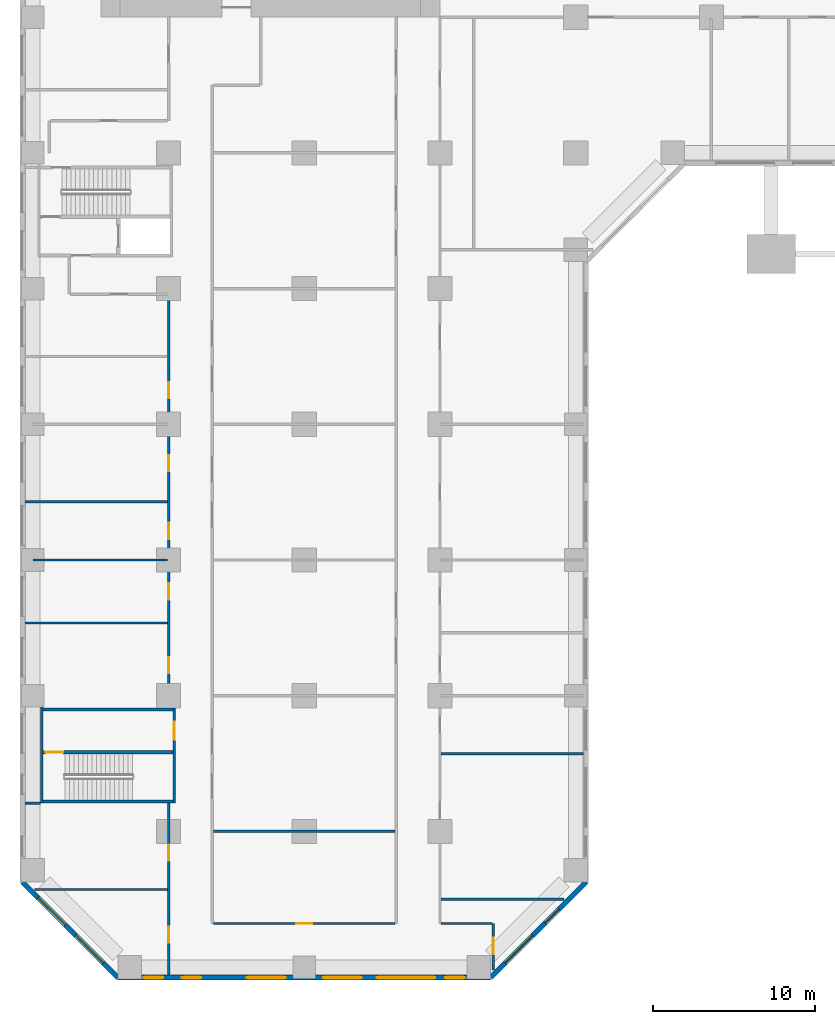
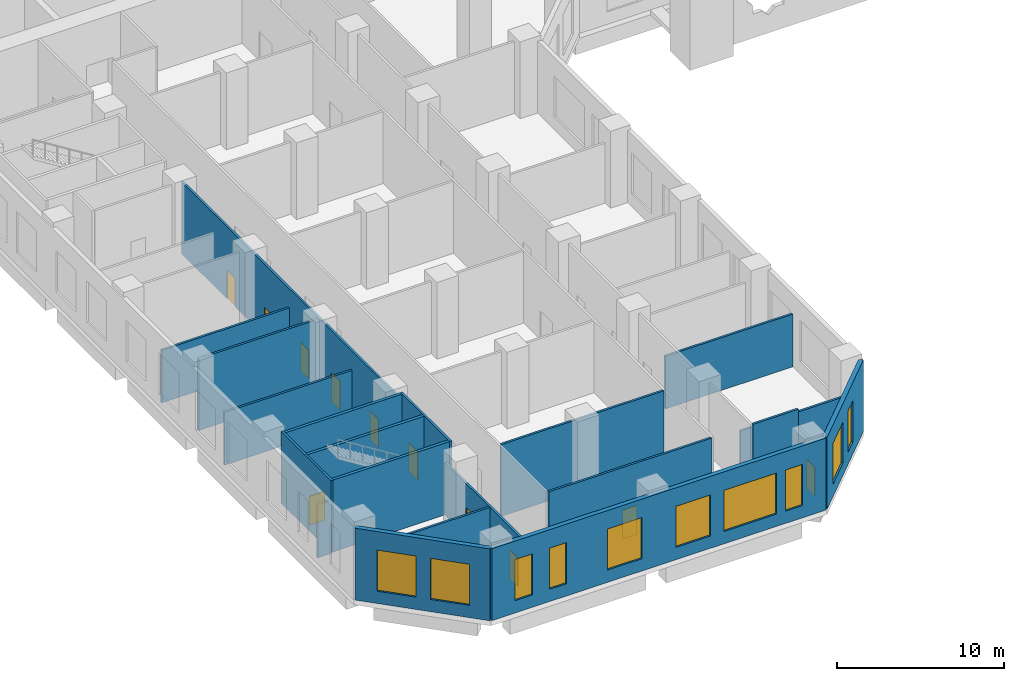
# One storey, part 2 of 17: 21 walls, 11 doors, 10 windows, 21 openings.
"""IFC4 building model written with IfcOpenShell, lengths in metres."""

from ifc_helpers import new_model, si_unit, direction, frame, frame_2d, origin, place, context, subcontext, project, spatial, rectangle, extrude, material, layer, layer_set, type_object, element, fill, save


model = new_model("IFC4")

# Units and contexts
model_context = context("Model", 3, precision=1e-05, world=origin(), true_north=direction((0.0, 1.0)))
body_context = subcontext(model_context, "Body", "Model", "MODEL_VIEW")
ifc_project = project(units=[si_unit("LENGTHUNIT", "METRE"), si_unit("AREAUNIT", "SQUARE_METRE"), si_unit("VOLUMEUNIT", "CUBIC_METRE"), si_unit("PLANEANGLEUNIT", "RADIAN"), si_unit("MASSUNIT", "GRAM", prefix="KILO")], contexts=[model_context])

# Site, building, storey
site_placement = place(None, origin())
site = spatial("IfcSite", under=ifc_project, at=site_placement, CompositionType="ELEMENT")
building_placement = place(site_placement, origin())
building = spatial("IfcBuilding", under=site, at=building_placement, Name="Kawkab Arch Medical Tower", CompositionType="ELEMENT")
storey_placement = place(building_placement, frame((0.0, 0.0, 7.0)))
storey = spatial("IfcBuildingStorey", under=building, at=storey_placement, Name="L02", CompositionType="ELEMENT", Elevation=7.0)

# Wall, opening, door
ifc_material_1 = material(Name="Gypsum board partition on steel studs, mineral wool", Category="steel")
ifc_layer_1 = layer(ifc_material_1, 0.14990234375)
ifc_layer_set_1 = layer_set([ifc_layer_1], Name="Gypsum board partition on steel studs, mineral wool")
wall_type_1 = type_object("IfcWallType", Name="Partition 150", PredefinedType="PARTITIONING", material=ifc_layer_set_1)
wall_1_placement = place(storey_placement, frame((11.175048828125, -81.300048828125, 0.0), z_axis=(0.0, 0.0, 1.0), x_axis=(1.0, 0.0, 0.0)))
wall_1 = element("IfcWall", 1, at=wall_1_placement, inside=storey, type_object=wall_type_1, Name="Partition 150 w001", PredefinedType="PARTITIONING", context=body_context, shape_type="SweptSolid", body=[
    extrude(rectangle(XDim=11.25, YDim=0.14990234375, at=frame_2d((5.625, 0.0))), origin(), (0.0, 0.0, 1.0), 5.25),
])
opening_1_placement = place(wall_1_placement, frame((5.125, 0.0, 0.0)))
opening_1 = element("IfcOpeningElement", 2, at=opening_1_placement, cuts=wall_1, Name="Opening P02-052", PredefinedType="OPENING", context=body_context, shape_type="SweptSolid", body=[
    extrude(rectangle(XDim=1.0, YDim=2.10009765625, at=frame_2d((0.5, 1.050048828125))), frame((0.0, 0.0849609375, 0.0), z_axis=(0.0, -1.0, 0.0), x_axis=(1.0, 0.0, 0.0)), (0.0, 0.0, 1.0), 0.169921875),
])
ifc_material_2 = material(Name="Hollow metal door leaf")
door_type_1 = type_object("IfcDoorType", Name="Single door 1000x2100 FD30S", OperationType="NOTDEFINED", PredefinedType="DOOR", material=ifc_material_2)
door_1_placement = place(opening_1_placement, origin())
door_1 = element("IfcDoor", 3, at=door_1_placement, inside=storey, type_object=door_type_1, Name="Door P02-052", OperationType="SINGLE_SWING_LEFT", OverallHeight=2.10009765625, OverallWidth=1.0, PredefinedType="DOOR", context=body_context, shape_type="SweptSolid", body=[
    extrude(rectangle(XDim=1.0, YDim=2.10009765625, at=frame_2d((0.5, 1.050048828125))), frame((0.0, 0.02490234375, 0.0), z_axis=(0.0, -1.0, 0.0), x_axis=(1.0, 0.0, 0.0)), (0.0, 0.0, 1.0), 0.050048828125),
])
fill(opening_1, door_1)

# Walls
wall_2_placement = place(storey_placement, frame((25.27490234375, -81.300048828125, 0.0), z_axis=(0.0, 0.0, 1.0), x_axis=(1.0, 0.0, 0.0)))
element("IfcWall", 4, at=wall_2_placement, inside=storey, type_object=wall_type_1, Name="Partition 150 w002", PredefinedType="PARTITIONING", context=body_context, shape_type="SweptSolid", body=[
    extrude(rectangle(XDim=3.150146484375, YDim=0.14990234375, at=frame_2d((1.5751953125, 0.0))), origin(), (0.0, 0.0, 1.0), 5.25),
])
wall_3_placement = place(storey_placement, frame((25.27490234375, -79.800048828125, 0.0), z_axis=(0.0, 0.0, 1.0), x_axis=(1.0, 0.0, 0.0)))
element("IfcWall", 5, at=wall_3_placement, inside=storey, type_object=wall_type_1, Name="Partition 150 w003", PredefinedType="PARTITIONING", context=body_context, shape_type="SweptSolid", body=[
    extrude(rectangle(XDim=7.612060546875, YDim=0.14990234375, at=frame_2d((3.80615234375, 0.0))), origin(), (0.0, 0.0, 1.0), 3.85009765625),
])
wall_4_placement = place(storey_placement, frame((0.113037109375, -79.199951171875, 0.0), z_axis=(0.0, 0.0, 1.0), x_axis=(1.0, 0.0, 0.0)))
element("IfcWall", 6, at=wall_4_placement, inside=storey, type_object=wall_type_1, Name="Partition 150 w004", PredefinedType="PARTITIONING", context=body_context, shape_type="SweptSolid", body=[
    extrude(rectangle(XDim=8.2119140625, YDim=0.14990234375, at=frame_2d((4.10595703125, 0.0))), origin(), (0.0, 0.0, 1.0), 3.85009765625),
])
wall_5_placement = place(storey_placement, frame((11.175048828125, -75.60009765625, 0.0), z_axis=(0.0, 0.0, 1.0), x_axis=(1.0, 0.0, 0.0)))
element("IfcWall", 7, at=wall_5_placement, inside=storey, type_object=wall_type_1, Name="Partition 150 w005", PredefinedType="PARTITIONING", context=body_context, shape_type="SweptSolid", body=[
    extrude(rectangle(XDim=11.25, YDim=0.14990234375, at=frame_2d((5.625, 0.0))), origin(), (0.0, 0.0, 1.0), 5.25),
])
wall_6_placement = place(storey_placement, frame((-0.47998046875, -73.85009765625, 0.0), z_axis=(0.0, 0.0, 1.0), x_axis=(1.0, 0.0, 0.0)))
element("IfcWall", 8, at=wall_6_placement, inside=storey, type_object=wall_type_1, Name="Partition 150 w006", PredefinedType="PARTITIONING", context=body_context, shape_type="SweptSolid", body=[
    extrude(rectangle(XDim=0.952880859375, YDim=0.14990234375, at=frame_2d((0.4765625, 0.0))), origin(), (0.0, 0.0, 1.0), 3.85009765625),
])
wall_7_placement = place(storey_placement, frame((25.27490234375, -70.800048828125, 0.0), z_axis=(0.0, 0.0, 1.0), x_axis=(1.0, 0.0, 0.0)))
element("IfcWall", 9, at=wall_7_placement, inside=storey, type_object=wall_type_1, Name="Partition 150 w007", PredefinedType="PARTITIONING", context=body_context, shape_type="SweptSolid", body=[
    extrude(rectangle(XDim=8.80517578125, YDim=0.14990234375, at=frame_2d((4.402587890625, 0.0))), origin(), (0.0, 0.0, 1.0), 3.85009765625),
])
wall_8_placement = place(storey_placement, frame((-0.47998046875, -62.699951171875, 0.0), z_axis=(0.0, 0.0, 1.0), x_axis=(1.0, 0.0, 0.0)))
element("IfcWall", 10, at=wall_8_placement, inside=storey, type_object=wall_type_1, Name="Partition 150 w011", PredefinedType="PARTITIONING", context=body_context, shape_type="SweptSolid", body=[
    extrude(rectangle(XDim=8.804931640625, YDim=0.14990234375, at=frame_2d((4.40234375, 0.0))), origin(), (0.0, 0.0, 1.0), 3.85009765625),
])
wall_9_placement = place(storey_placement, frame((0.001953125, -58.800048828125, 0.0), z_axis=(0.0, 0.0, 1.0), x_axis=(1.0, 0.0, 0.0)))
element("IfcWall", 11, at=wall_9_placement, inside=storey, type_object=wall_type_1, Name="Partition 150 w012", PredefinedType="PARTITIONING", context=body_context, shape_type="SweptSolid", body=[
    extrude(rectangle(XDim=8.322998046875, YDim=0.14990234375, at=frame_2d((4.16162109375, 0.0))), origin(), (0.0, 0.0, 1.0), 5.25),
])
wall_10_placement = place(storey_placement, frame((-0.47998046875, -55.199951171875, 0.0), z_axis=(0.0, 0.0, 1.0), x_axis=(1.0, 0.0, 0.0)))
element("IfcWall", 12, at=wall_10_placement, inside=storey, type_object=wall_type_1, Name="Partition 150 w015", PredefinedType="PARTITIONING", context=body_context, shape_type="SweptSolid", body=[
    extrude(rectangle(XDim=8.804931640625, YDim=0.14990234375, at=frame_2d((4.40234375, 0.0))), origin(), (0.0, 0.0, 1.0), 3.85009765625),
])

# Wall, openings, doors
wall_11_placement = place(storey_placement, frame((8.39990234375, -84.47998046875, 0.0), z_axis=(0.0, 0.0, 1.0), x_axis=(0.0, 1.0, 0.0)))
wall_11 = element("IfcWall", 13, at=wall_11_placement, inside=storey, type_object=wall_type_1, Name="Partition 150 w042", PredefinedType="PARTITIONING", context=body_context, shape_type="SweptSolid", body=[
    extrude(rectangle(XDim=10.6298828125, YDim=0.14990234375, at=frame_2d((5.31494140625, 0.0))), origin(), (0.0, 0.0, 1.0), 3.85009765625),
])
opening_2_placement = place(wall_11_placement, frame((7.054931640625, 0.0, 0.0)))
opening_2 = element("IfcOpeningElement", 14, at=opening_2_placement, cuts=wall_11, Name="Opening P02-050", PredefinedType="OPENING", context=body_context, shape_type="SweptSolid", body=[
    extrude(rectangle(XDim=1.0, YDim=2.10009765625, at=frame_2d((0.5, 1.050048828125))), frame((0.0, 0.0849609375, 0.0), z_axis=(0.0, -1.0, 0.0), x_axis=(1.0, 0.0, 0.0)), (0.0, 0.0, 1.0), 0.169921875),
])
opening_3_placement = place(wall_11_placement, frame((1.97998046875, 0.0, 0.0)))
opening_3 = element("IfcOpeningElement", 15, at=opening_3_placement, cuts=wall_11, Name="Opening P02-051", PredefinedType="OPENING", context=body_context, shape_type="SweptSolid", body=[
    extrude(rectangle(XDim=1.0, YDim=2.10009765625, at=frame_2d((0.5, 1.050048828125))), frame((0.0, 0.0849609375, 0.0), z_axis=(0.0, -1.0, 0.0), x_axis=(1.0, 0.0, 0.0)), (0.0, 0.0, 1.0), 0.169921875),
])
door_2_placement = place(opening_2_placement, origin())
door_2 = element("IfcDoor", 16, at=door_2_placement, inside=storey, type_object=door_type_1, Name="Door P02-050", OperationType="SINGLE_SWING_RIGHT", OverallHeight=2.10009765625, OverallWidth=1.0, PredefinedType="DOOR", context=body_context, shape_type="SweptSolid", body=[
    extrude(rectangle(XDim=1.0, YDim=2.10009765625, at=frame_2d((0.5, 1.050048828125))), frame((0.0, 0.02490234375, 0.0), z_axis=(0.0, -1.0, 0.0), x_axis=(1.0, 0.0, 0.0)), (0.0, 0.0, 1.0), 0.050048828125),
])
fill(opening_2, door_2)
door_3_placement = place(opening_3_placement, origin())
door_3 = element("IfcDoor", 17, at=door_3_placement, inside=storey, type_object=door_type_1, Name="Door P02-051", OperationType="SINGLE_SWING_LEFT", OverallHeight=2.10009765625, OverallWidth=1.0, PredefinedType="DOOR", context=body_context, shape_type="SweptSolid", body=[
    extrude(rectangle(XDim=1.0, YDim=2.10009765625, at=frame_2d((0.5, 1.050048828125))), frame((0.0, 0.02490234375, 0.0), z_axis=(0.0, -1.0, 0.0), x_axis=(1.0, 0.0, 0.0)), (0.0, 0.0, 1.0), 0.050048828125),
])
fill(opening_3, door_3)

wall_12_placement = place(storey_placement, frame((8.39990234375, -67.947021484375, 0.0), z_axis=(0.0, 0.0, 1.0), x_axis=(0.0, 1.0, 0.0)))
wall_12 = element("IfcWall", 18, at=wall_12_placement, inside=storey, type_object=wall_type_1, Name="Partition 150 w043", PredefinedType="PARTITIONING", context=body_context, shape_type="SweptSolid", body=[
    extrude(rectangle(XDim=25.596923828125, YDim=0.14990234375, at=frame_2d((12.79833984375, 0.0))), origin(), (0.0, 0.0, 1.0), 5.25),
])
opening_4_placement = place(wall_12_placement, frame((19.14697265625, 0.0, 0.0)))
opening_4 = element("IfcOpeningElement", 19, at=opening_4_placement, cuts=wall_12, Name="Opening P02-045", PredefinedType="OPENING", context=body_context, shape_type="SweptSolid", body=[
    extrude(rectangle(XDim=1.0, YDim=2.10009765625, at=frame_2d((0.5, 1.050048828125))), frame((0.0, 0.0849609375, 0.0), z_axis=(0.0, -1.0, 0.0), x_axis=(1.0, 0.0, 0.0)), (0.0, 0.0, 1.0), 0.169921875),
])
opening_5_placement = place(wall_12_placement, frame((14.64697265625, 0.0, 0.0)))
opening_5 = element("IfcOpeningElement", 20, at=opening_5_placement, cuts=wall_12, Name="Opening P02-046", PredefinedType="OPENING", context=body_context, shape_type="SweptSolid", body=[
    extrude(rectangle(XDim=1.0, YDim=2.10009765625, at=frame_2d((0.5, 1.050048828125))), frame((0.0, 0.0849609375, 0.0), z_axis=(0.0, -1.0, 0.0), x_axis=(1.0, 0.0, 0.0)), (0.0, 0.0, 1.0), 0.169921875),
])
opening_6_placement = place(wall_12_placement, frame((10.447021484375, 0.0, 0.0)))
opening_6 = element("IfcOpeningElement", 21, at=opening_6_placement, cuts=wall_12, Name="Opening P02-047", PredefinedType="OPENING", context=body_context, shape_type="SweptSolid", body=[
    extrude(rectangle(XDim=1.0, YDim=2.10009765625, at=frame_2d((0.5, 1.050048828125))), frame((0.0, 0.0849609375, 0.0), z_axis=(0.0, -1.0, 0.0), x_axis=(1.0, 0.0, 0.0)), (0.0, 0.0, 1.0), 0.169921875),
])
opening_7_placement = place(wall_12_placement, frame((6.697021484375, 0.0, 0.0)))
opening_7 = element("IfcOpeningElement", 22, at=opening_7_placement, cuts=wall_12, Name="Opening P02-048", PredefinedType="OPENING", context=body_context, shape_type="SweptSolid", body=[
    extrude(rectangle(XDim=1.0, YDim=2.10009765625, at=frame_2d((0.5, 1.050048828125))), frame((0.0, 0.0849609375, 0.0), z_axis=(0.0, -1.0, 0.0), x_axis=(1.0, 0.0, 0.0)), (0.0, 0.0, 1.0), 0.169921875),
])
opening_8_placement = place(wall_12_placement, frame((2.1240234375, 0.0, 0.0)))
opening_8 = element("IfcOpeningElement", 23, at=opening_8_placement, cuts=wall_12, Name="Opening P02-049", PredefinedType="OPENING", context=body_context, shape_type="SweptSolid", body=[
    extrude(rectangle(XDim=1.0, YDim=2.10009765625, at=frame_2d((0.5, 1.050048828125))), frame((0.0, 0.0849609375, 0.0), z_axis=(0.0, -1.0, 0.0), x_axis=(1.0, 0.0, 0.0)), (0.0, 0.0, 1.0), 0.169921875),
])
door_4_placement = place(opening_4_placement, origin())
door_4 = element("IfcDoor", 24, at=door_4_placement, inside=storey, type_object=door_type_1, Name="Door P02-045", OperationType="SINGLE_SWING_RIGHT", OverallHeight=2.10009765625, OverallWidth=1.0, PredefinedType="DOOR", context=body_context, shape_type="SweptSolid", body=[
    extrude(rectangle(XDim=1.0, YDim=2.10009765625, at=frame_2d((0.5, 1.050048828125))), frame((0.0, 0.02490234375, 0.0), z_axis=(0.0, -1.0, 0.0), x_axis=(1.0, 0.0, 0.0)), (0.0, 0.0, 1.0), 0.050048828125),
])
fill(opening_4, door_4)
door_5_placement = place(opening_5_placement, origin())
door_5 = element("IfcDoor", 25, at=door_5_placement, inside=storey, type_object=door_type_1, Name="Door P02-046", OperationType="SINGLE_SWING_RIGHT", OverallHeight=2.10009765625, OverallWidth=1.0, PredefinedType="DOOR", context=body_context, shape_type="SweptSolid", body=[
    extrude(rectangle(XDim=1.0, YDim=2.10009765625, at=frame_2d((0.5, 1.050048828125))), frame((0.0, 0.02490234375, 0.0), z_axis=(0.0, -1.0, 0.0), x_axis=(1.0, 0.0, 0.0)), (0.0, 0.0, 1.0), 0.050048828125),
])
fill(opening_5, door_5)
door_6_placement = place(opening_6_placement, origin())
door_6 = element("IfcDoor", 26, at=door_6_placement, inside=storey, type_object=door_type_1, Name="Door P02-047", OperationType="SINGLE_SWING_LEFT", OverallHeight=2.10009765625, OverallWidth=1.0, PredefinedType="DOOR", context=body_context, shape_type="SweptSolid", body=[
    extrude(rectangle(XDim=1.0, YDim=2.10009765625, at=frame_2d((0.5, 1.050048828125))), frame((0.0, 0.02490234375, 0.0), z_axis=(0.0, -1.0, 0.0), x_axis=(1.0, 0.0, 0.0)), (0.0, 0.0, 1.0), 0.050048828125),
])
fill(opening_6, door_6)
door_7_placement = place(opening_7_placement, origin())
door_7 = element("IfcDoor", 27, at=door_7_placement, inside=storey, type_object=door_type_1, Name="Door P02-048", OperationType="SINGLE_SWING_LEFT", OverallHeight=2.10009765625, OverallWidth=1.0, PredefinedType="DOOR", context=body_context, shape_type="SweptSolid", body=[
    extrude(rectangle(XDim=1.0, YDim=2.10009765625, at=frame_2d((0.5, 1.050048828125))), frame((0.0, 0.02490234375, 0.0), z_axis=(0.0, -1.0, 0.0), x_axis=(1.0, 0.0, 0.0)), (0.0, 0.0, 1.0), 0.050048828125),
])
fill(opening_7, door_7)
door_8_placement = place(opening_8_placement, origin())
door_8 = element("IfcDoor", 28, at=door_8_placement, inside=storey, type_object=door_type_1, Name="Door P02-049", OperationType="SINGLE_SWING_LEFT", OverallHeight=2.10009765625, OverallWidth=1.0, PredefinedType="DOOR", context=body_context, shape_type="SweptSolid", body=[
    extrude(rectangle(XDim=1.0, YDim=2.10009765625, at=frame_2d((0.5, 1.050048828125))), frame((0.0, 0.02490234375, 0.0), z_axis=(0.0, -1.0, 0.0), x_axis=(1.0, 0.0, 0.0)), (0.0, 0.0, 1.0), 0.050048828125),
])
fill(opening_8, door_8)

# Wall, opening, door
wall_13_placement = place(storey_placement, frame((28.5, -84.18701171875, 0.0), z_axis=(0.0, 0.0, 1.0), x_axis=(0.0, 1.0, 0.0)))
wall_13 = element("IfcWall", 29, at=wall_13_placement, inside=storey, type_object=wall_type_1, Name="Partition 150 w051", PredefinedType="PARTITIONING", context=body_context, shape_type="SweptSolid", body=[
    extrude(rectangle(XDim=2.886962890625, YDim=0.14990234375, at=frame_2d((1.443359375, 0.0))), origin(), (0.0, 0.0, 1.0), 3.85009765625),
])
opening_9_placement = place(wall_13_placement, frame((0.987060546875, 0.0, 0.0)))
opening_9 = element("IfcOpeningElement", 30, at=opening_9_placement, cuts=wall_13, Name="Opening P02-058", PredefinedType="OPENING", context=body_context, shape_type="SweptSolid", body=[
    extrude(rectangle(XDim=1.0, YDim=2.10009765625, at=frame_2d((0.5, 1.050048828125))), frame((0.0, 0.0849609375, 0.0), z_axis=(0.0, -1.0, 0.0), x_axis=(1.0, 0.0, 0.0)), (0.0, 0.0, 1.0), 0.169921875),
])
door_9_placement = place(opening_9_placement, origin())
door_9 = element("IfcDoor", 31, at=door_9_placement, inside=storey, type_object=door_type_1, Name="Door P02-058", OperationType="SINGLE_SWING_LEFT", OverallHeight=2.10009765625, OverallWidth=1.0, PredefinedType="DOOR", context=body_context, shape_type="SweptSolid", body=[
    extrude(rectangle(XDim=1.0, YDim=2.10009765625, at=frame_2d((0.5, 1.050048828125))), frame((0.0, 0.02490234375, 0.0), z_axis=(0.0, -1.0, 0.0), x_axis=(1.0, 0.0, 0.0)), (0.0, 0.0, 1.0), 0.050048828125),
])
fill(opening_9, door_9)

# Wall, openings, windows
ifc_material_3 = material(Name="Bronze clad insulated wall panel")
ifc_layer_2 = layer(ifc_material_3, 0.300048828125)
ifc_layer_set_2 = layer_set([ifc_layer_2], Name="Bronze clad insulated wall panel")
wall_type_2 = type_object("IfcWallType", Name="Podium external wall 300", PredefinedType="SOLIDWALL", material=ifc_layer_set_2)
wall_14_placement = place(storey_placement, frame((-0.64990234375, -78.73779296875, 0.0), z_axis=(0.0, 0.0, 1.0), x_axis=(0.707106781187, -0.707106781187, 0.0)))
wall_14 = element("IfcWall", 32, at=wall_14_placement, inside=storey, type_object=wall_type_2, Name="Podium external wall L02 R08", PredefinedType="SOLIDWALL", context=body_context, shape_type="SweptSolid", body=[
    extrude(rectangle(XDim=8.361083984375, YDim=0.300048828125, at=frame_2d((4.1806640625, 0.0))), origin(), (0.0, 0.0, 1.0), 5.25),
])
opening_10_placement = place(wall_14_placement, frame((1.3671875, 0.0, 0.89990234375)))
opening_10 = element("IfcOpeningElement", 33, at=opening_10_placement, cuts=wall_14, Name="Opening PBW240-30-S9", PredefinedType="OPENING", context=body_context, shape_type="SweptSolid", body=[
    extrude(rectangle(XDim=2.39990234375, YDim=3.0, at=frame_2d((1.199951171875, 1.5))), frame((0.0, 0.159912109375, 0.0), z_axis=(0.0, -1.0, 0.0), x_axis=(1.0, 0.0, 0.0)), (0.0, 0.0, 1.0), 0.320068359375),
])
opening_11_placement = place(wall_14_placement, frame((4.67919921875, 0.0, 0.89990234375)))
opening_11 = element("IfcOpeningElement", 34, at=opening_11_placement, cuts=wall_14, Name="Opening PBW240-30-S9", PredefinedType="OPENING", context=body_context, shape_type="SweptSolid", body=[
    extrude(rectangle(XDim=2.39990234375, YDim=3.0, at=frame_2d((1.199951171875, 1.5))), frame((0.0, 0.159912109375, 0.0), z_axis=(0.0, -1.0, 0.0), x_axis=(1.0, 0.0, 0.0)), (0.0, 0.0, 1.0), 0.320068359375),
])
ifc_material_4 = material(Name="Bronze anodised aluminium louvred window", Category="aluminium")
window_type_1 = type_object("IfcWindowType", Name="Podium band window 2400 x 3000 sill 900", PartitioningType="DOUBLE_PANEL_VERTICAL", PredefinedType="WINDOW", material=ifc_material_4)
window_1_placement = place(opening_10_placement, origin())
window_1 = element("IfcWindow", 35, at=window_1_placement, inside=storey, type_object=window_type_1, Name="Band window L02 R08.1", OverallHeight=3.0, OverallWidth=2.39990234375, PartitioningType="SINGLE_PANEL", PredefinedType="WINDOW", context=body_context, shape_type="SweptSolid", body=[
    extrude(rectangle(XDim=2.39990234375, YDim=3.0, at=frame_2d((1.199951171875, 1.5))), frame((0.0, 0.030029296875, 0.0), z_axis=(0.0, -1.0, 0.0), x_axis=(1.0, 0.0, 0.0)), (0.0, 0.0, 1.0), 0.06005859375),
])
fill(opening_10, window_1)
window_2_placement = place(opening_11_placement, origin())
window_2 = element("IfcWindow", 36, at=window_2_placement, inside=storey, type_object=window_type_1, Name="Band window L02 R08.2", OverallHeight=3.0, OverallWidth=2.39990234375, PartitioningType="SINGLE_PANEL", PredefinedType="WINDOW", context=body_context, shape_type="SweptSolid", body=[
    extrude(rectangle(XDim=2.39990234375, YDim=3.0, at=frame_2d((1.199951171875, 1.5))), frame((0.0, 0.030029296875, 0.0), z_axis=(0.0, -1.0, 0.0), x_axis=(1.0, 0.0, 0.0)), (0.0, 0.0, 1.0), 0.06005859375),
])
fill(opening_11, window_2)

wall_15_placement = place(storey_placement, frame((5.26220703125, -84.64990234375, 0.0), z_axis=(0.0, 0.0, 1.0), x_axis=(1.0, 0.0, 0.0)))
wall_15 = element("IfcWall", 37, at=wall_15_placement, inside=storey, type_object=wall_type_2, Name="Podium external wall L02 R09", PredefinedType="SOLIDWALL", context=body_context, shape_type="SweptSolid", body=[
    extrude(rectangle(XDim=23.07568359375, YDim=0.300048828125, at=frame_2d((11.537841796875, 0.0))), origin(), (0.0, 0.0, 1.0), 5.25),
])
opening_12_placement = place(wall_15_placement, frame((1.6103515625, 0.0, 0.89990234375)))
opening_12 = element("IfcOpeningElement", 38, at=opening_12_placement, cuts=wall_15, Name="Opening PBW120-30-S9", PredefinedType="OPENING", context=body_context, shape_type="SweptSolid", body=[
    extrude(rectangle(XDim=1.199951171875, YDim=3.0, at=frame_2d((0.60009765625, 1.5))), frame((0.0, 0.159912109375, 0.0), z_axis=(0.0, -1.0, 0.0), x_axis=(1.0, 0.0, 0.0)), (0.0, 0.0, 1.0), 0.320068359375),
])
opening_13_placement = place(wall_15_placement, frame((3.962890625, 0.0, 0.89990234375)))
opening_13 = element("IfcOpeningElement", 39, at=opening_13_placement, cuts=wall_15, Name="Opening PBW120-30-S9", PredefinedType="OPENING", context=body_context, shape_type="SweptSolid", body=[
    extrude(rectangle(XDim=1.199951171875, YDim=3.0, at=frame_2d((0.60009765625, 1.5))), frame((0.0, 0.159912109375, 0.0), z_axis=(0.0, -1.0, 0.0), x_axis=(1.0, 0.0, 0.0)), (0.0, 0.0, 1.0), 0.320068359375),
])
opening_14_placement = place(wall_15_placement, frame((7.977783203125, 0.0, 0.89990234375)))
opening_14 = element("IfcOpeningElement", 40, at=opening_14_placement, cuts=wall_15, Name="Opening PBW240-30-S9", PredefinedType="OPENING", context=body_context, shape_type="SweptSolid", body=[
    extrude(rectangle(XDim=2.39990234375, YDim=3.0, at=frame_2d((1.199951171875, 1.5))), frame((0.0, 0.159912109375, 0.0), z_axis=(0.0, -1.0, 0.0), x_axis=(1.0, 0.0, 0.0)), (0.0, 0.0, 1.0), 0.320068359375),
])
opening_15_placement = place(wall_15_placement, frame((12.697998046875, 0.0, 0.89990234375)))
opening_15 = element("IfcOpeningElement", 41, at=opening_15_placement, cuts=wall_15, Name="Opening PBW240-30-S9", PredefinedType="OPENING", context=body_context, shape_type="SweptSolid", body=[
    extrude(rectangle(XDim=2.39990234375, YDim=3.0, at=frame_2d((1.199951171875, 1.5))), frame((0.0, 0.159912109375, 0.0), z_axis=(0.0, -1.0, 0.0), x_axis=(1.0, 0.0, 0.0)), (0.0, 0.0, 1.0), 0.320068359375),
])
opening_16_placement = place(wall_15_placement, frame((16.037841796875, 0.0, 0.89990234375)))
opening_16 = element("IfcOpeningElement", 42, at=opening_16_placement, cuts=wall_15, Name="Opening PBW360-30-S9", PredefinedType="OPENING", context=body_context, shape_type="SweptSolid", body=[
    extrude(rectangle(XDim=3.60009765625, YDim=3.0, at=frame_2d((1.800048828125, 1.5))), frame((0.0, 0.159912109375, 0.0), z_axis=(0.0, -1.0, 0.0), x_axis=(1.0, 0.0, 0.0)), (0.0, 0.0, 1.0), 0.320068359375),
])
opening_17_placement = place(wall_15_placement, frame((20.265380859375, 0.0, 0.89990234375)))
opening_17 = element("IfcOpeningElement", 43, at=opening_17_placement, cuts=wall_15, Name="Opening PBW120-30-S9", PredefinedType="OPENING", context=body_context, shape_type="SweptSolid", body=[
    extrude(rectangle(XDim=1.199951171875, YDim=3.0, at=frame_2d((0.60009765625, 1.5))), frame((0.0, 0.159912109375, 0.0), z_axis=(0.0, -1.0, 0.0), x_axis=(1.0, 0.0, 0.0)), (0.0, 0.0, 1.0), 0.320068359375),
])
ifc_material_5 = material(Name="Bronze anodised aluminium louvred window", Category="aluminium")
window_type_2 = type_object("IfcWindowType", Name="Podium band window 1200 x 3000 sill 900", PartitioningType="DOUBLE_PANEL_VERTICAL", PredefinedType="WINDOW", material=ifc_material_5)
window_3_placement = place(opening_12_placement, origin())
window_3 = element("IfcWindow", 44, at=window_3_placement, inside=storey, type_object=window_type_2, Name="Band window L02 R09.1", OverallHeight=3.0, OverallWidth=1.199951171875, PartitioningType="SINGLE_PANEL", PredefinedType="WINDOW", context=body_context, shape_type="SweptSolid", body=[
    extrude(rectangle(XDim=1.199951171875, YDim=3.0, at=frame_2d((0.60009765625, 1.5))), frame((0.0, 0.030029296875, 0.0), z_axis=(0.0, -1.0, 0.0), x_axis=(1.0, 0.0, 0.0)), (0.0, 0.0, 1.0), 0.06005859375),
])
fill(opening_12, window_3)
window_4_placement = place(opening_13_placement, origin())
window_4 = element("IfcWindow", 45, at=window_4_placement, inside=storey, type_object=window_type_2, Name="Band window L02 R09.2", OverallHeight=3.0, OverallWidth=1.199951171875, PartitioningType="SINGLE_PANEL", PredefinedType="WINDOW", context=body_context, shape_type="SweptSolid", body=[
    extrude(rectangle(XDim=1.199951171875, YDim=3.0, at=frame_2d((0.60009765625, 1.5))), frame((0.0, 0.030029296875, 0.0), z_axis=(0.0, -1.0, 0.0), x_axis=(1.0, 0.0, 0.0)), (0.0, 0.0, 1.0), 0.06005859375),
])
fill(opening_13, window_4)
window_5_placement = place(opening_17_placement, origin())
window_5 = element("IfcWindow", 46, at=window_5_placement, inside=storey, type_object=window_type_2, Name="Band window L02 R09.6", OverallHeight=3.0, OverallWidth=1.199951171875, PartitioningType="SINGLE_PANEL", PredefinedType="WINDOW", context=body_context, shape_type="SweptSolid", body=[
    extrude(rectangle(XDim=1.199951171875, YDim=3.0, at=frame_2d((0.60009765625, 1.5))), frame((0.0, 0.030029296875, 0.0), z_axis=(0.0, -1.0, 0.0), x_axis=(1.0, 0.0, 0.0)), (0.0, 0.0, 1.0), 0.06005859375),
])
fill(opening_17, window_5)
window_6_placement = place(opening_14_placement, origin())
window_6 = element("IfcWindow", 47, at=window_6_placement, inside=storey, type_object=window_type_1, Name="Band window L02 R09.3", OverallHeight=3.0, OverallWidth=2.39990234375, PartitioningType="SINGLE_PANEL", PredefinedType="WINDOW", context=body_context, shape_type="SweptSolid", body=[
    extrude(rectangle(XDim=2.39990234375, YDim=3.0, at=frame_2d((1.199951171875, 1.5))), frame((0.0, 0.030029296875, 0.0), z_axis=(0.0, -1.0, 0.0), x_axis=(1.0, 0.0, 0.0)), (0.0, 0.0, 1.0), 0.06005859375),
])
fill(opening_14, window_6)
window_7_placement = place(opening_15_placement, origin())
window_7 = element("IfcWindow", 48, at=window_7_placement, inside=storey, type_object=window_type_1, Name="Band window L02 R09.4", OverallHeight=3.0, OverallWidth=2.39990234375, PartitioningType="SINGLE_PANEL", PredefinedType="WINDOW", context=body_context, shape_type="SweptSolid", body=[
    extrude(rectangle(XDim=2.39990234375, YDim=3.0, at=frame_2d((1.199951171875, 1.5))), frame((0.0, 0.030029296875, 0.0), z_axis=(0.0, -1.0, 0.0), x_axis=(1.0, 0.0, 0.0)), (0.0, 0.0, 1.0), 0.06005859375),
])
fill(opening_15, window_7)
ifc_material_6 = material(Name="Bronze anodised aluminium louvred window", Category="aluminium")
window_type_3 = type_object("IfcWindowType", Name="Podium band window 3600 x 3000 sill 900", PartitioningType="DOUBLE_PANEL_VERTICAL", PredefinedType="WINDOW", material=ifc_material_6)
window_8_placement = place(opening_16_placement, origin())
window_8 = element("IfcWindow", 49, at=window_8_placement, inside=storey, type_object=window_type_3, Name="Band window L02 R09.5", OverallHeight=3.0, OverallWidth=3.60009765625, PartitioningType="SINGLE_PANEL", PredefinedType="WINDOW", context=body_context, shape_type="SweptSolid", body=[
    extrude(rectangle(XDim=3.60009765625, YDim=3.0, at=frame_2d((1.800048828125, 1.5))), frame((0.0, 0.030029296875, 0.0), z_axis=(0.0, -1.0, 0.0), x_axis=(1.0, 0.0, 0.0)), (0.0, 0.0, 1.0), 0.06005859375),
])
fill(opening_16, window_8)

wall_16_placement = place(storey_placement, frame((28.337890625, -84.64990234375, 0.0), z_axis=(0.0, 0.0, 1.0), x_axis=(0.707106781187, 0.707106781187, 0.0)))
wall_16 = element("IfcWall", 50, at=wall_16_placement, inside=storey, type_object=wall_type_2, Name="Podium external wall L02 R10", PredefinedType="SOLIDWALL", context=body_context, shape_type="SweptSolid", body=[
    extrude(rectangle(XDim=8.361083984375, YDim=0.300048828125, at=frame_2d((4.1806640625, 0.0))), origin(), (0.0, 0.0, 1.0), 5.25),
])
opening_18_placement = place(wall_16_placement, frame((1.28173828125, 0.0, 0.89990234375)))
opening_18 = element("IfcOpeningElement", 51, at=opening_18_placement, cuts=wall_16, Name="Opening PBW240-30-S9", PredefinedType="OPENING", context=body_context, shape_type="SweptSolid", body=[
    extrude(rectangle(XDim=2.39990234375, YDim=3.0, at=frame_2d((1.199951171875, 1.5))), frame((0.0, 0.159912109375, 0.0), z_axis=(0.0, -1.0, 0.0), x_axis=(1.0, 0.0, 0.0)), (0.0, 0.0, 1.0), 0.320068359375),
])
opening_19_placement = place(wall_16_placement, frame((4.76953125, 0.0, 0.89990234375)))
opening_19 = element("IfcOpeningElement", 52, at=opening_19_placement, cuts=wall_16, Name="Opening PBW120-30-S9", PredefinedType="OPENING", context=body_context, shape_type="SweptSolid", body=[
    extrude(rectangle(XDim=1.199951171875, YDim=3.0, at=frame_2d((0.60009765625, 1.5))), frame((0.0, 0.159912109375, 0.0), z_axis=(0.0, -1.0, 0.0), x_axis=(1.0, 0.0, 0.0)), (0.0, 0.0, 1.0), 0.320068359375),
])
window_9_placement = place(opening_19_placement, origin())
window_9 = element("IfcWindow", 53, at=window_9_placement, inside=storey, type_object=window_type_2, Name="Band window L02 R10.2", OverallHeight=3.0, OverallWidth=1.199951171875, PartitioningType="SINGLE_PANEL", PredefinedType="WINDOW", context=body_context, shape_type="SweptSolid", body=[
    extrude(rectangle(XDim=1.199951171875, YDim=3.0, at=frame_2d((0.60009765625, 1.5))), frame((0.0, 0.030029296875, 0.0), z_axis=(0.0, -1.0, 0.0), x_axis=(1.0, 0.0, 0.0)), (0.0, 0.0, 1.0), 0.06005859375),
])
fill(opening_19, window_9)
window_10_placement = place(opening_18_placement, origin())
window_10 = element("IfcWindow", 54, at=window_10_placement, inside=storey, type_object=window_type_1, Name="Band window L02 R10.1", OverallHeight=3.0, OverallWidth=2.39990234375, PartitioningType="SINGLE_PANEL", PredefinedType="WINDOW", context=body_context, shape_type="SweptSolid", body=[
    extrude(rectangle(XDim=2.39990234375, YDim=3.0, at=frame_2d((1.199951171875, 1.5))), frame((0.0, 0.030029296875, 0.0), z_axis=(0.0, -1.0, 0.0), x_axis=(1.0, 0.0, 0.0)), (0.0, 0.0, 1.0), 0.06005859375),
])
fill(opening_18, window_10)

# Wall
ifc_material_7 = material(Name="Concrete C50/60", Category="concrete")
ifc_layer_3 = layer(ifc_material_7, 0.14990234375)
ifc_layer_set_3 = layer_set([ifc_layer_3], Name="Concrete C50/60")
wall_type_3 = type_object("IfcWallType", Name="Stair enclosure wall 150 C50/60", PredefinedType="SHEAR", material=ifc_layer_set_3)
wall_17_placement = place(storey_placement, frame((0.550048828125, -73.85009765625, 0.0), z_axis=(0.0, 0.0, 1.0), x_axis=(0.0, 1.0, 0.0)))
element("IfcWall", 55, at=wall_17_placement, inside=storey, type_object=wall_type_3, Name="L02 stair enclosure wall", PredefinedType="SHEAR", context=body_context, shape_type="SweptSolid", body=[
    extrude(rectangle(XDim=5.9501953125, YDim=0.14990234375, at=frame_2d((2.97509765625, 0.0))), origin(), (0.0, 0.0, 1.0), 5.25),
])

# Wall, opening, door
wall_18_placement = place(storey_placement, frame((8.75, -73.85009765625, 0.0), z_axis=(0.0, 0.0, 1.0), x_axis=(0.0, 1.0, 0.0)))
wall_18 = element("IfcWall", 56, at=wall_18_placement, inside=storey, type_object=wall_type_3, Name="L02 stair enclosure wall", PredefinedType="SHEAR", context=body_context, shape_type="SweptSolid", body=[
    extrude(rectangle(XDim=5.900146484375, YDim=0.14990234375, at=frame_2d((2.9501953125, 0.0))), origin(), (0.0, 0.0, 1.0), 5.25),
])
opening_20_placement = place(wall_18_placement, frame((3.925048828125, 0.0, 0.0)))
opening_20 = element("IfcOpeningElement", 57, at=opening_20_placement, cuts=wall_18, Name="Opening SD", PredefinedType="OPENING", context=body_context, shape_type="SweptSolid", body=[
    extrude(rectangle(XDim=1.10009765625, YDim=2.10009765625, at=frame_2d((0.550048828125, 1.050048828125))), frame((0.0, 0.0849609375, 0.0), z_axis=(0.0, -1.0, 0.0), x_axis=(1.0, 0.0, 0.0)), (0.0, 0.0, 1.0), 0.169921875),
])
ifc_material_8 = material(Name="Hollow metal fire door leaf")
door_type_2 = type_object("IfcDoorType", Name="Exit stair door 1100", OperationType="SINGLE_SWING_LEFT", PredefinedType="DOOR", material=ifc_material_8)
door_10_placement = place(opening_20_placement, origin())
door_10 = element("IfcDoor", 58, at=door_10_placement, inside=storey, type_object=door_type_2, Name="L02 Exit stair ST10 lobby door", OperationType="SINGLE_SWING_LEFT", OverallHeight=2.10009765625, OverallWidth=1.10009765625, PredefinedType="DOOR", context=body_context, shape_type="SweptSolid", body=[
    extrude(rectangle(XDim=1.10009765625, YDim=2.10009765625, at=frame_2d((0.550048828125, 1.050048828125))), frame((0.0, 0.02490234375, 0.0), z_axis=(0.0, -1.0, 0.0), x_axis=(1.0, 0.0, 0.0)), (0.0, 0.0, 1.0), 0.050048828125),
])
fill(opening_20, door_10)

# Wall
ifc_material_9 = material(Name="Concrete C50/60", Category="concrete")
ifc_layer_4 = layer(ifc_material_9, 0.199951171875)
ifc_layer_set_4 = layer_set([ifc_layer_4], Name="Concrete C50/60")
wall_type_4 = type_object("IfcWallType", Name="Stair enclosure wall 200 C50/60", PredefinedType="SHEAR", material=ifc_layer_set_4)
wall_19_placement = place(storey_placement, frame((0.625, -73.75, 0.0), z_axis=(0.0, 0.0, 1.0), x_axis=(1.0, 0.0, 0.0)))
element("IfcWall", 59, at=wall_19_placement, inside=storey, type_object=wall_type_4, Name="L02 stair enclosure wall", PredefinedType="SHEAR", context=body_context, shape_type="SweptSolid", body=[
    extrude(rectangle(XDim=8.050048828125, YDim=0.199951171875, at=frame_2d((4.02490234375, 0.0))), origin(), (0.0, 0.0, 1.0), 5.25),
])

# Wall, opening, door
wall_20_placement = place(storey_placement, frame((0.625, -70.699951171875, 0.0), z_axis=(0.0, 0.0, 1.0), x_axis=(1.0, 0.0, 0.0)))
wall_20 = element("IfcWall", 60, at=wall_20_placement, inside=storey, type_object=wall_type_4, Name="L02 stair enclosure wall", PredefinedType="SHEAR", context=body_context, shape_type="SweptSolid", body=[
    extrude(rectangle(XDim=8.050048828125, YDim=0.199951171875, at=frame_2d((4.02490234375, 0.0))), origin(), (0.0, 0.0, 1.0), 5.25),
])
opening_21_placement = place(wall_20_placement, frame((0.14990234375, 0.0, 0.0)))
opening_21 = element("IfcOpeningElement", 61, at=opening_21_placement, cuts=wall_20, Name="Opening SD", PredefinedType="OPENING", context=body_context, shape_type="SweptSolid", body=[
    extrude(rectangle(XDim=1.10009765625, YDim=2.10009765625, at=frame_2d((0.550048828125, 1.050048828125))), frame((0.0, 0.10986328125, 0.0), z_axis=(0.0, -1.0, 0.0), x_axis=(1.0, 0.0, 0.0)), (0.0, 0.0, 1.0), 0.219970703125),
])
door_11_placement = place(opening_21_placement, frame((1.10009765625, 0.0, 0.0), z_axis=(0.0, 0.0, 1.0), x_axis=(-1.0, 0.0, 0.0)))
door_11 = element("IfcDoor", 62, at=door_11_placement, inside=storey, type_object=door_type_2, Name="L02 Exit stair ST10 door", OperationType="SINGLE_SWING_LEFT", OverallHeight=2.10009765625, OverallWidth=1.10009765625, PredefinedType="DOOR", context=body_context, shape_type="SweptSolid", body=[
    extrude(rectangle(XDim=1.10009765625, YDim=2.10009765625, at=frame_2d((0.550048828125, 1.050048828125))), frame((0.0, 0.02490234375, 0.0), z_axis=(0.0, -1.0, 0.0), x_axis=(1.0, 0.0, 0.0)), (0.0, 0.0, 1.0), 0.050048828125),
])
fill(opening_21, door_11)

# Wall
wall_21_placement = place(storey_placement, frame((0.625, -68.050048828125, 0.0), z_axis=(0.0, 0.0, 1.0), x_axis=(1.0, 0.0, 0.0)))
element("IfcWall", 63, at=wall_21_placement, inside=storey, type_object=wall_type_4, Name="L02 stair enclosure wall", PredefinedType="SHEAR", context=body_context, shape_type="SweptSolid", body=[
    extrude(rectangle(XDim=8.050048828125, YDim=0.199951171875, at=frame_2d((4.02490234375, 0.0))), origin(), (0.0, 0.0, 1.0), 5.25),
])

save(model, "model.ifc")
